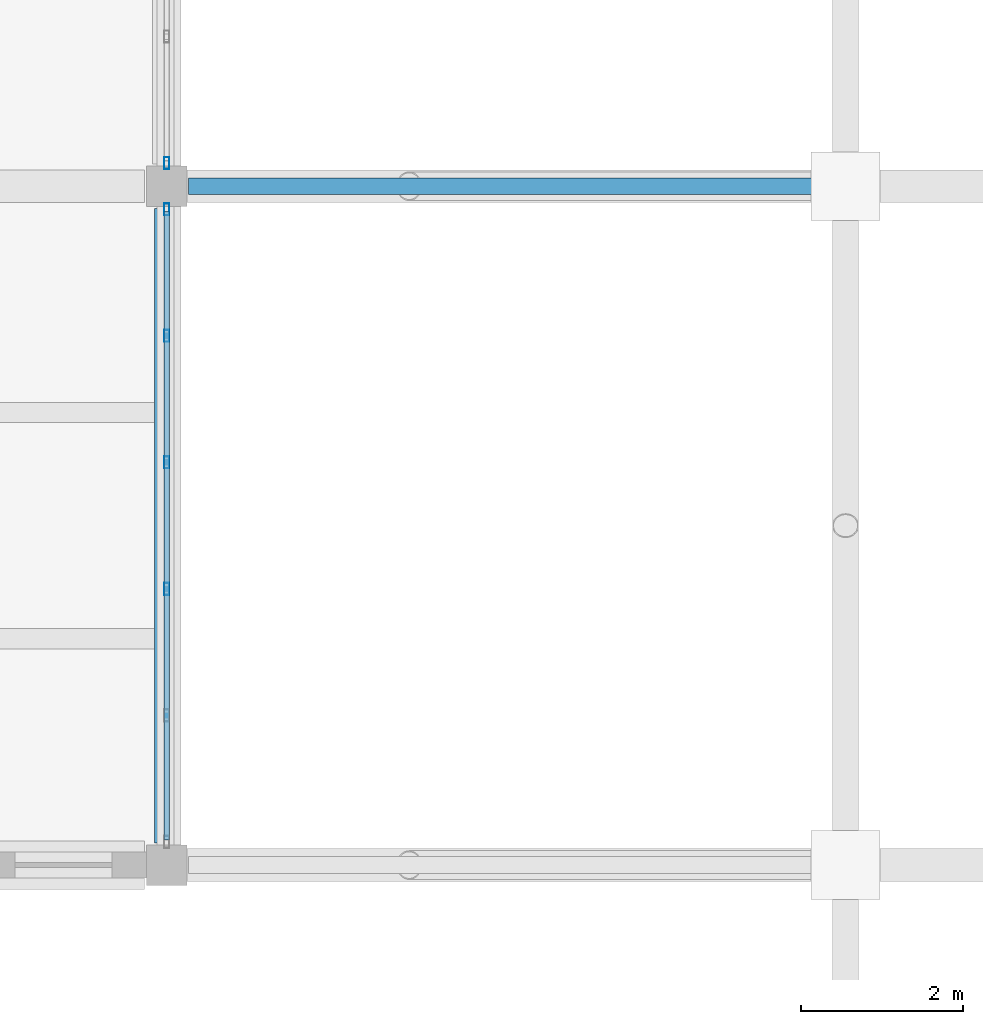
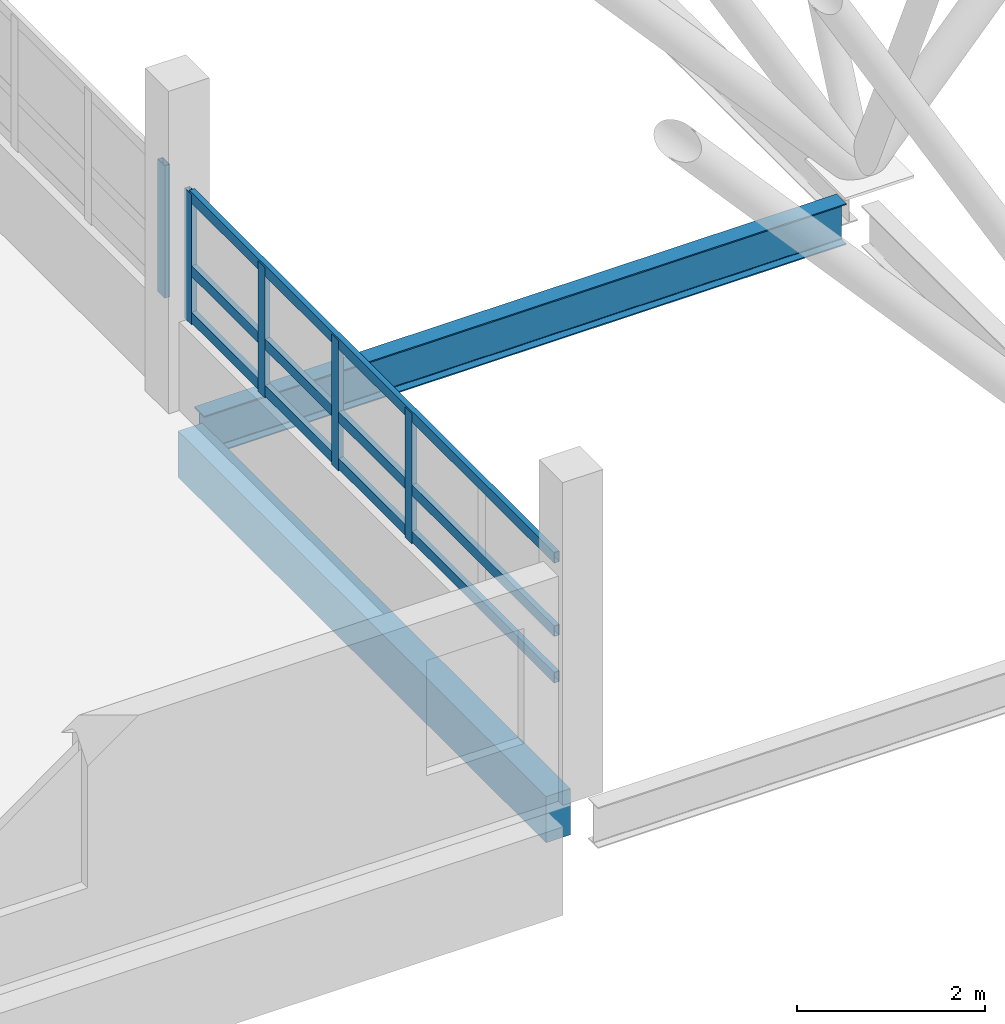
# One storey, part 9 of 107: 8 members, 2 beams, 2 elements without a shape of their own.
"""IFC4 building model written with IfcOpenShell, lengths in metres."""

import ifcopenshell
import ifcopenshell.guid

model = None  # the IFC model being written
_history = None  # IfcOwnerHistory: only IFC2X3 demands one
_inside = {}  # id of a spatial element -> (the spatial element, [elements in it])
_under = {}  # id of a project, library or spatial element -> (it, [spatial elements below it])
_declared = {}  # id of a project -> (the project, [libraries it declares])
_typed = {}  # id of a type object -> (the type object, [elements of that type])
_made_of = {}  # id of a material, layer set ... -> (it, [elements and type objects made of it])


def new_model(schema):
    """Start an empty IFC model of exactly this schema.

    Asked for "IFC4X3", IfcOpenShell would pick the latest addendum, in which some entities
    have other attributes; the version numbers below select the first issue.
    IFC2X3 requires an IfcOwnerHistory on every rooted entity: one is made here for all.
    """
    global model, _history
    if schema == "IFC4X3":
        model = ifcopenshell.file(schema_version=(4, 3, 0, 0))
    else:
        model = ifcopenshell.file(schema=schema)
    _inside.clear()
    _under.clear()
    _declared.clear()
    _typed.clear()
    _made_of.clear()
    _history = None
    if model.schema == "IFC2X3":
        org = make("IfcOrganization", Name="unknown")
        user = make(
            "IfcPersonAndOrganization",
            ThePerson=make("IfcPerson", FamilyName="unknown"),
            TheOrganization=org,
        )
        app = make(
            "IfcApplication",
            ApplicationDeveloper=org,
            Version="unknown",
            ApplicationFullName="unknown",
            ApplicationIdentifier="unknown",
        )
        _history = make(
            "IfcOwnerHistory",
            OwningUser=user,
            OwningApplication=app,
            ChangeAction="ADDED",
            CreationDate=0,
        )
    return model


def make(cls, **values):
    """One entity of the class cls with the attributes given. An attribute that is None is left unset."""
    return model.create_entity(
        cls, **{name: value for name, value in values.items() if value is not None}
    )


def rooted(cls, **values):
    """An entity with a GlobalId (a new one), such as an element, a storey or a relation."""
    return make(cls, GlobalId=ifcopenshell.guid.new(), OwnerHistory=_history, **values)


def si_unit(unit_type, name, prefix=None):
    """IfcSIUnit, for example si_unit("LENGTHUNIT", "METRE", prefix="MILLI")."""
    return make("IfcSIUnit", UnitType=unit_type, Prefix=prefix, Name=name)


def assignment(units):
    """IfcUnitAssignment: the units of a project."""
    return None if units is None else make("IfcUnitAssignment", Units=units)


def point(xyz):
    """IfcCartesianPoint."""
    return None if xyz is None else make("IfcCartesianPoint", Coordinates=xyz)


def direction(xyz):
    """IfcDirection."""
    return None if xyz is None else make("IfcDirection", DirectionRatios=xyz)


def frame(location, z_axis=None, x_axis=None):
    """IfcAxis2Placement3D, a coordinate frame: its origin and axes. An axis left out is left unset."""
    return make(
        "IfcAxis2Placement3D",
        Location=point(location),
        Axis=direction(z_axis),
        RefDirection=direction(x_axis),
    )


def frame_2d(location, x_axis=None):
    """IfcAxis2Placement2D, a coordinate frame in the plane: its origin and x axis."""
    return make(
        "IfcAxis2Placement2D", Location=point(location), RefDirection=direction(x_axis)
    )


def origin():
    """The frame at (0, 0, 0) with its axes left unset."""
    return frame((0.0, 0.0, 0.0))


def origin_2d():
    """The frame at (0, 0) in the plane with its x axis left unset."""
    return frame_2d((0.0, 0.0))


def place(relative_to, where):
    """IfcLocalPlacement: puts the frame where relative to a parent placement (None: the world)."""
    return make(
        "IfcLocalPlacement", PlacementRelTo=relative_to, RelativePlacement=where
    )


def context(
    kind, dimensions, precision=None, world=None, true_north=None, identifier=None
):
    """IfcGeometricRepresentationContext, for example the 3D "Model" context."""
    return make(
        "IfcGeometricRepresentationContext",
        ContextIdentifier=identifier,
        ContextType=kind,
        CoordinateSpaceDimension=dimensions,
        Precision=precision,
        WorldCoordinateSystem=world,
        TrueNorth=true_north,
    )


def subcontext(parent, identifier, kind, view, scale=None):
    """IfcGeometricRepresentationSubContext, for example "Body" below "Model"."""
    return make(
        "IfcGeometricRepresentationSubContext",
        ContextIdentifier=identifier,
        ContextType=kind,
        ParentContext=parent,
        TargetScale=scale,
        TargetView=view,
    )


def project(units=None, contexts=None):
    """IfcProject with its units and contexts."""
    return rooted(
        "IfcProject",
        Name="project",
        RepresentationContexts=contexts,
        UnitsInContext=assignment(units),
    )


def spatial(cls, under=None, at=None, **own):
    """A site, building, storey or space (cls), placed at a placement, below another one or the project."""
    s = rooted(cls, ObjectPlacement=at, **own)
    if under is not None:
        _under.setdefault(under.id(), (under, []))[1].append(s)
    return s


def profile(cls, at=None, kind="AREA", **sizes):
    """A parametric profile (cls). Its sizes go by their IFC names, for example OverallWidth=200.0."""
    return make(cls, ProfileType=kind, Position=at, **sizes)


def rectangle(**sizes):
    """IfcRectangleProfileDef."""
    return profile("IfcRectangleProfileDef", **sizes)


def hollow_rectangle(**sizes):
    """IfcRectangleHollowProfileDef."""
    return profile("IfcRectangleHollowProfileDef", **sizes)


def i_section(**sizes):
    """IfcIShapeProfileDef."""
    return profile("IfcIShapeProfileDef", **sizes)


def extrude(swept, where, along, depth):
    """IfcExtrudedAreaSolid: the profile swept, set in the frame where, extruded along a direction by depth."""
    return make(
        "IfcExtrudedAreaSolid",
        SweptArea=swept,
        Position=where,
        ExtrudedDirection=direction(along),
        Depth=depth,
    )


def shape(context_of_items, identifier, shape_type, items):
    """IfcShapeRepresentation: the items that make up one representation, for example the "Body"."""
    return make(
        "IfcShapeRepresentation",
        ContextOfItems=context_of_items,
        RepresentationIdentifier=identifier,
        RepresentationType=shape_type,
        Items=items,
    )


def material(Name=None, Category=None):
    """IfcMaterial."""
    return make("IfcMaterial", Name=Name, Category=Category)


def layer(
    of_material, thickness, ventilated=None, Name=None, Category=None, Priority=None
):
    """IfcMaterialLayer: one layer of a wall or slab, of a material (None: an air gap)."""
    return make(
        "IfcMaterialLayer",
        Material=of_material,
        LayerThickness=thickness,
        IsVentilated=ventilated,
        Name=Name,
        Category=Category,
        Priority=Priority,
    )


def layer_set(layers, Name=None):
    """IfcMaterialLayerSet."""
    return make("IfcMaterialLayerSet", MaterialLayers=layers, LayerSetName=Name)


def material_profile(
    of_material, cross_section, Name=None, Category=None, Priority=None
):
    """IfcMaterialProfile: a cross section and its material."""
    return make(
        "IfcMaterialProfile",
        Name=Name,
        Material=of_material,
        Profile=cross_section,
        Priority=Priority,
        Category=Category,
    )


def profile_set(profiles, Name=None, composite=None):
    """IfcMaterialProfileSet."""
    return make(
        "IfcMaterialProfileSet",
        Name=Name,
        MaterialProfiles=profiles,
        CompositeProfile=composite,
    )


def made_of(thing, what):
    """Note that an element or type object is made of a material, layer set ...; save() writes the relation."""
    if what is not None:
        _made_of.setdefault(what.id(), (what, []))[1].append(thing)
    return thing


def type_object(cls, material=None, **own):
    """A type object (cls), such as IfcWallType, which elements share."""
    return made_of(rooted(cls, **own), material)


def element(
    cls,
    number,
    at=None,
    inside=None,
    cuts=None,
    type_object=None,
    material=None,
    context=None,
    identifier="Body",
    shape_type=None,
    held_by="IfcProductDefinitionShape",
    body=None,
    shapes=None,
    **own,
):
    """One element of the class cls, such as IfcWall. Its Tag is "e" and its number.

    at: its placement. inside: the storey or other place that contains it. cuts: it is an
    opening in that element (IfcRelVoidsElement). A single representation is given by context,
    identifier, shape_type and body (its items); several are given by shapes. held_by: the class
    of the entity that holds the representations. save() writes the other relations.
    """
    e = rooted(cls, Tag="e%d" % number, ObjectPlacement=at, **own)
    if body is not None:
        shapes = [shape(context, identifier, shape_type, body)]
    if shapes is not None:
        e.Representation = make(held_by, Representations=shapes)
    if inside is not None:
        _inside.setdefault(inside.id(), (inside, []))[1].append(e)
    if cuts is not None:
        rooted(
            "IfcRelVoidsElement", RelatingBuildingElement=cuts, RelatedOpeningElement=e
        )
    if type_object is not None:
        _typed.setdefault(type_object.id(), (type_object, []))[1].append(e)
    return made_of(e, material)


def aggregate(whole, parts):
    """IfcRelAggregates: a whole, such as a stair, and the parts it consists of."""
    return rooted("IfcRelAggregates", RelatingObject=whole, RelatedObjects=parts)


def save(model, path):
    """Write the relations noted so far, then the file.

    IfcRelAggregates (storeys below a building ...), IfcRelContainedInSpatialStructure (elements
    in a storey), IfcRelDefinesByType, IfcRelAssociatesMaterial and IfcRelDeclares: one each for
    every whole, place, type object, material and project.
    """
    for whole, parts in _under.values():
        aggregate(whole, parts)
    for where, things in _inside.values():
        rooted(
            "IfcRelContainedInSpatialStructure",
            RelatedElements=things,
            RelatingStructure=where,
        )
    for kind, things in _typed.values():
        rooted("IfcRelDefinesByType", RelatedObjects=things, RelatingType=kind)
    for what, things in _made_of.values():
        rooted("IfcRelAssociatesMaterial", RelatedObjects=things, RelatingMaterial=what)
    for by, libraries in _declared.values():
        rooted("IfcRelDeclares", RelatingContext=by, RelatedDefinitions=libraries)
    model.write(path)


model = new_model("IFC4")

# Units and contexts
model_context = context("Model", 3, precision=1e-05, world=origin(), true_north=direction((0.0, 1.0)))
body_context = subcontext(model_context, "Body", "Model", "MODEL_VIEW")
ifc_project = project(units=[si_unit("LENGTHUNIT", "METRE"), si_unit("AREAUNIT", "SQUARE_METRE"), si_unit("VOLUMEUNIT", "CUBIC_METRE"), si_unit("PLANEANGLEUNIT", "RADIAN"), si_unit("MASSUNIT", "GRAM", prefix="KILO")], contexts=[model_context])

# Site, building, storey
site_placement = place(None, origin())
site = spatial("IfcSite", under=ifc_project, at=site_placement, CompositionType="ELEMENT")
building_placement = place(site_placement, origin())
building = spatial("IfcBuilding", under=site, at=building_placement, Name="Vireocrest Preparatory School", CompositionType="ELEMENT")
storey_placement = place(building_placement, frame((0.0, 0.0, 13.199951171875)))
storey = spatial("IfcBuildingStorey", under=building, at=storey_placement, Name="L03", CompositionType="ELEMENT", Elevation=13.199951171875)

# Curtain wall, members
ifc_material_1 = material(Name="Thermally broken aluminium EN AW-6063-T6", Category="aluminium")
ifc_layer = layer(ifc_material_1, 0.179931640625)
ifc_layer_set = layer_set([ifc_layer], Name="Thermally broken aluminium EN AW-6063-T6")
curtain_wall_type = type_object("IfcCurtainWallType", Name="Court Banded Curtain Wall 8400x3000", PredefinedType="USERDEFINED", material=ifc_layer_set)
curtain_wall_1_placement = place(storey_placement, origin())
curtain_wall_1 = element("IfcCurtainWall", 1, at=curtain_wall_1_placement, inside=storey, type_object=curtain_wall_type, Name="Curtain Wall CW02 CW_L03_CW02_0672_0356_144", ObjectType="CURTAIN WALL", PredefinedType="USERDEFINED")
ifc_material_profile_1 = material_profile(ifc_material_1, hollow_rectangle(XDim=0.06494140625, YDim=0.14990234375, WallThickness=0.00390625, at=origin_2d()), Name="ALU 65x150x4")
ifc_profile_set_1 = profile_set([ifc_material_profile_1], Name="Thermally broken aluminium EN AW-6063-T6")
member_type_1 = type_object("IfcMemberType", Name="CW Mullion 65x150x4", PredefinedType="MULLION", material=ifc_profile_set_1)
member_1_placement = place(storey_placement, frame((67.199951171875, 38.81689453125, 1.150146484375), z_axis=(0.0, 0.0, 1.0), x_axis=(1.0, 0.0, 0.0)))
member_1 = element("IfcMember", 2, at=member_1_placement, type_object=member_type_1, Name="CW Mullion ML1 CW_L03_CW02_0672_0356_144-3", PredefinedType="MULLION", context=body_context, shape_type="SweptSolid", body=[
    extrude(hollow_rectangle(XDim=0.06494140625, YDim=0.14990234375, WallThickness=0.00390625, at=origin_2d()), origin(), (0.0, 0.0, 1.0), 1.69482421875),
])
member_2_placement = place(storey_placement, frame((67.199951171875, 40.383056640625, 1.150146484375), z_axis=(0.0, 0.0, 1.0), x_axis=(1.0, 0.0, 0.0)))
member_2 = element("IfcMember", 3, at=member_2_placement, type_object=member_type_1, Name="CW Mullion ML1 CW_L03_CW02_0672_0356_144-4", PredefinedType="MULLION", context=body_context, shape_type="SweptSolid", body=[
    extrude(hollow_rectangle(XDim=0.06494140625, YDim=0.14990234375, WallThickness=0.00390625, at=origin_2d()), origin(), (0.0, 0.0, 1.0), 1.69482421875),
])
member_3_placement = place(storey_placement, frame((67.199951171875, 41.948974609375, 1.150146484375), z_axis=(0.0, 0.0, 1.0), x_axis=(1.0, 0.0, 0.0)))
member_3 = element("IfcMember", 4, at=member_3_placement, type_object=member_type_1, Name="CW Mullion ML1 CW_L03_CW02_0672_0356_144-5", PredefinedType="MULLION", context=body_context, shape_type="SweptSolid", body=[
    extrude(hollow_rectangle(XDim=0.06494140625, YDim=0.14990234375, WallThickness=0.00390625, at=origin_2d()), origin(), (0.0, 0.0, 1.0), 1.69482421875),
])
member_4_placement = place(storey_placement, frame((67.199951171875, 43.514892578125, 1.150146484375), z_axis=(0.0, 0.0, 1.0), x_axis=(1.0, 0.0, 0.0)))
member_4 = element("IfcMember", 5, at=member_4_placement, type_object=member_type_1, Name="CW Mullion ML1 CW_L03_CW02_0672_0356_144-6", PredefinedType="MULLION", context=body_context, shape_type="SweptSolid", body=[
    extrude(hollow_rectangle(XDim=0.06494140625, YDim=0.14990234375, WallThickness=0.00390625, at=origin_2d()), origin(), (0.0, 0.0, 1.0), 1.69482421875),
])

# Curtain wall, member
curtain_wall_2_placement = place(storey_placement, origin())
curtain_wall_2 = element("IfcCurtainWall", 6, at=curtain_wall_2_placement, inside=storey, type_object=curtain_wall_type, Name="Curtain Wall CW02 CW_L03_CW02_0672_0440_144", ObjectType="CURTAIN WALL", PredefinedType="USERDEFINED")
member_5_placement = place(storey_placement, frame((67.199951171875, 44.0849609375, 1.150146484375), z_axis=(0.0, 0.0, 1.0), x_axis=(1.0, 0.0, 0.0)))
member_5 = element("IfcMember", 7, at=member_5_placement, type_object=member_type_1, Name="CW Mullion ML1 CW_L03_CW02_0672_0440_144-1", PredefinedType="MULLION", context=body_context, shape_type="SweptSolid", body=[
    extrude(hollow_rectangle(XDim=0.06494140625, YDim=0.14990234375, WallThickness=0.00390625, at=origin_2d()), origin(), (0.0, 0.0, 1.0), 1.724853515625),
])
aggregate(curtain_wall_2, [member_5])

# Member
ifc_material_profile_2 = material_profile(ifc_material_1, hollow_rectangle(XDim=0.06494140625, YDim=0.139892578125, WallThickness=0.00390625, at=origin_2d()), Name="ALU 65x140x4")
ifc_profile_set_2 = profile_set([ifc_material_profile_2], Name="Thermally broken aluminium EN AW-6063-T6")
member_type_2 = type_object("IfcMemberType", Name="CW Transom 65x140x4", PredefinedType="USERDEFINED", material=ifc_profile_set_2)
member_6_placement = place(storey_placement, frame((67.199951171875, 35.7099609375, 1.2451171875), z_axis=(0.0, 1.0, 0.0), x_axis=(-1.0, 0.0, 0.0)))
member_6 = element("IfcMember", 8, at=member_6_placement, type_object=member_type_2, Name="CW Transom TR1 CW_L03_CW02_0672_0356_144-1", ObjectType="TRANSOM", PredefinedType="USERDEFINED", context=body_context, shape_type="SweptSolid", body=[
    extrude(hollow_rectangle(XDim=0.06494140625, YDim=0.139892578125, WallThickness=0.00390625, at=origin_2d()), origin(), (0.0, 0.0, 1.0), 7.780029296875),
])

member_7_placement = place(storey_placement, frame((67.199951171875, 35.7099609375, 1.85009765625), z_axis=(0.0, 1.0, 0.0), x_axis=(-1.0, 0.0, 0.0)))
member_7 = element("IfcMember", 9, at=member_7_placement, type_object=member_type_2, Name="CW Transom TR1 CW_L03_CW02_0672_0356_144-2", ObjectType="TRANSOM", PredefinedType="USERDEFINED", context=body_context, shape_type="SweptSolid", body=[
    extrude(hollow_rectangle(XDim=0.06494140625, YDim=0.139892578125, WallThickness=0.00390625, at=origin_2d()), origin(), (0.0, 0.0, 1.0), 7.780029296875),
])

member_8_placement = place(storey_placement, frame((67.199951171875, 35.7099609375, 2.804931640625), z_axis=(0.0, 1.0, 0.0), x_axis=(-1.0, 0.0, 0.0)))
member_8 = element("IfcMember", 10, at=member_8_placement, type_object=member_type_2, Name="CW Transom TR1 CW_L03_CW02_0672_0356_144-3", ObjectType="TRANSOM", PredefinedType="USERDEFINED", context=body_context, shape_type="SweptSolid", body=[
    extrude(hollow_rectangle(XDim=0.06494140625, YDim=0.139892578125, WallThickness=0.00390625, at=origin_2d()), origin(), (0.0, 0.0, 1.0), 7.780029296875),
])

aggregate(curtain_wall_1, [member_1, member_2, member_3, member_4, member_6, member_7, member_8])

# Beams
ifc_material_2 = material(Name="Structural steel ASTM A992 Grade 50", Category="steel")
ifc_material_profile_3 = material_profile(ifc_material_2, i_section(OverallWidth=0.208984375, OverallDepth=0.532958984375, WebThickness=0.01025390625, FlangeThickness=0.015625, FilletRadius=0.014892578125, at=origin_2d()), Name="W21X62")
ifc_profile_set_3 = profile_set([ifc_material_profile_3], Name="Structural steel ASTM A992 Grade 50")
beam_type_1 = type_object("IfcBeamType", Name="Court Tie Girder W21X62", PredefinedType="BEAM", material=ifc_profile_set_3)
beam_1_placement = place(storey_placement, frame((67.469970703125, 43.800048828125, -0.56640625), z_axis=(1.0, 0.0, 0.0), x_axis=(0.0, 1.0, 0.0)))
element("IfcBeam", 11, at=beam_1_placement, inside=storey, type_object=beam_type_1, Name="Court Trunk Lateral Tie Girder SB5 W3 L03", PredefinedType="BEAM", context=body_context, shape_type="SweptSolid", body=[
    extrude(i_section(OverallWidth=0.208984375, OverallDepth=0.532958984375, WebThickness=0.01025390625, FlangeThickness=0.015625, FilletRadius=0.014892578125, at=origin_2d()), origin(), (0.0, 0.0, 1.0), 7.906494140625),
])
ifc_material_3 = material(Name="Concrete 40 MPa", Category="concrete")
ifc_material_profile_4 = material_profile(ifc_material_3, rectangle(XDim=0.300048828125, YDim=0.60009765625, at=origin_2d()), Name="RC 300x600")
ifc_profile_set_4 = profile_set([ifc_material_profile_4], Name="Concrete 40 MPa")
beam_type_2 = type_object("IfcBeamType", Name="RC Classroom Beam 300x600", PredefinedType="BEAM", material=ifc_profile_set_4)
beam_2_placement = place(storey_placement, frame((67.199951171875, 35.675048828125, -0.5400390625), z_axis=(0.0, 1.0, 0.0), x_axis=(-1.0, 0.0, 0.0)))
element("IfcBeam", 12, at=beam_2_placement, inside=storey, type_object=beam_type_2, Name="Primary Girder B03 L03-1130", PredefinedType="BEAM", context=body_context, shape_type="SweptSolid", body=[
    extrude(rectangle(XDim=0.300048828125, YDim=0.60009765625, at=origin_2d()), origin(), (0.0, 0.0, 1.0), 7.849853515625),
])

save(model, "model.ifc")
